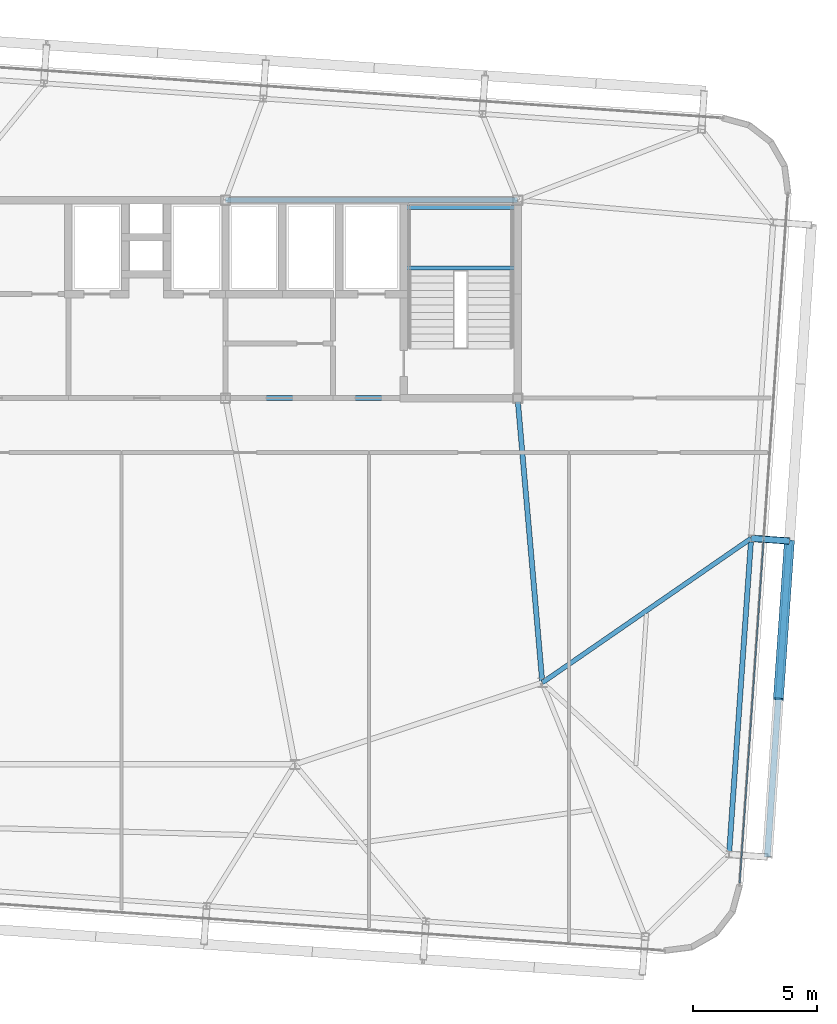
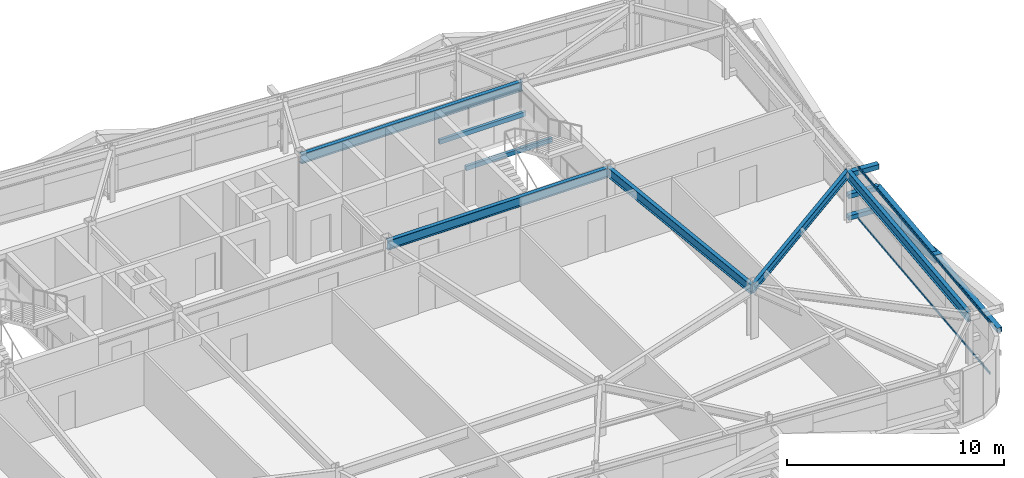
# One storey, part 16 of 39: 7 beams, 7 members, 1 element without a shape of its own.
"""IFC4 building model written with IfcOpenShell, lengths in metres."""

from ifc_helpers import new_model, si_unit, direction, frame, origin, origin_2d, place, context, subcontext, project, spatial, hollow_rectangle, i_section, extrude, source, transform, mapped, material, layer, layer_set, material_profile, profile_set, type_object, element, aggregate, save


model = new_model("IFC4")

# Units and contexts
model_context = context("Model", 3, precision=1e-05, world=origin(), true_north=direction((0.0, 1.0)))
body_context = subcontext(model_context, "Body", "Model", "MODEL_VIEW")
ifc_project = project(units=[si_unit("LENGTHUNIT", "METRE"), si_unit("AREAUNIT", "SQUARE_METRE"), si_unit("VOLUMEUNIT", "CUBIC_METRE"), si_unit("PLANEANGLEUNIT", "RADIAN"), si_unit("MASSUNIT", "GRAM", prefix="KILO")], contexts=[model_context])

# Site, building, storey
site_placement = place(None, origin())
site = spatial("IfcSite", under=ifc_project, at=site_placement, CompositionType="ELEMENT")
building_placement = place(site_placement, origin())
building = spatial("IfcBuilding", under=site, at=building_placement, Name="Taldren Reach Tower", CompositionType="ELEMENT")
storey_placement = place(building_placement, frame((0.0, 0.0, 148.75)))
storey = spatial("IfcBuildingStorey", under=building, at=storey_placement, Name="L45", CompositionType="ELEMENT", Elevation=148.75)

# Beams
ifc_material_1 = material(Name="Steel Gr 350 (350PLUS)", Category="steel")
ifc_material_profile_1 = material_profile(ifc_material_1, i_section(OverallWidth=0.208984375, OverallDepth=0.532958984375, WebThickness=0.01025390625, FlangeThickness=0.015625, at=origin_2d()), Name="530UB92.4")
ifc_profile_set_1 = profile_set([ifc_material_profile_1], Name="Steel Gr 350 (350PLUS)")
beam_type_1 = type_object("IfcBeamType", Name="BM-UB530A", PredefinedType="BEAM", material=ifc_profile_set_1)
shared_shape_1 = source(origin(), body_context, "Body", "SweptSolid", [
    extrude(i_section(OverallWidth=0.208984375, OverallDepth=0.532958984375, WebThickness=0.01025390625, FlangeThickness=0.015625, at=origin_2d()), origin(), (0.0, 0.0, 1.0), 11.800048828125),
])
for number, where, z_axis, x_axis, name in (
    (1, (39.199951171875, 24.0, 2.66357421875), (1.0, 0.0, 0.0), (0.0, 1.0, 0.0), "Core-spine girder L45-SP03"),
    (2, (39.199951171875, 32.0, 2.66357421875), (1.0, 0.0, 0.0), (0.0, 1.0, 0.0), "Core-spine girder L45-SP06"),
):
    element("IfcBeam", number, at=place(storey_placement, frame(where, z_axis=z_axis, x_axis=x_axis)), inside=storey, type_object=beam_type_1, Name=name, PredefinedType="BEAM", context=body_context, shape_type="MappedRepresentation", body=[
        mapped(shared_shape_1, transform((0.0, 0.0, 0.0), scale=1.0)),
    ])
shared_shape_2 = source(origin(), body_context, "Body", "SweptSolid", [
    extrude(i_section(OverallWidth=0.208984375, OverallDepth=0.532958984375, WebThickness=0.01025390625, FlangeThickness=0.015625, at=origin_2d()), origin(), (0.0, 0.0, 1.0), 11.54345703125),
])
beam_1_placement = place(storey_placement, frame((52.0, 12.5, 2.66357421875), z_axis=(-0.086629616365, 0.996240588196, 0.0), x_axis=(-0.996240588196, -0.086629616365, 0.0)))
element("IfcBeam", 3, at=beam_1_placement, inside=storey, type_object=beam_type_1, Name="Core-spine girder L45-SP13", PredefinedType="BEAM", context=body_context, shape_type="MappedRepresentation", body=[
    mapped(shared_shape_2, transform((0.0, 0.0, 0.0), scale=1.0)),
])

# Members
ifc_material_2 = material(Name="Steel Gr 450 (C450L0)", Category="steel")
ifc_material_profile_2 = material_profile(ifc_material_2, hollow_rectangle(XDim=0.27490234375, YDim=0.27490234375, WallThickness=0.00927734375, at=origin_2d()), Name="275x275x9.3SHS")
ifc_profile_set_2 = profile_set([ifc_material_profile_2], Name="Steel Gr 450 (C450L0)")
member_type_1 = type_object("IfcMemberType", Name="MB-TIE273", PredefinedType="STRUT", material=ifc_profile_set_2)
shared_shape_3 = source(origin(), body_context, "Body", "SweptSolid", [
    extrude(hollow_rectangle(XDim=0.27490234375, YDim=0.27490234375, WallThickness=0.00927734375, at=origin_2d()), origin(), (0.0, 0.0, 1.0), 1.5498046875),
])
member_1_placement = place(storey_placement, frame((60.438232421875, 18.331787109375, 2.64990234375), z_axis=(0.997562367434, -0.069780535098, 0.0), x_axis=(0.069780535098, 0.997562367434, 0.0)))
element("IfcMember", 4, at=member_1_placement, inside=storey, type_object=member_type_1, Name="Exoskeleton diaphragm tie strut B3-E2 L45", PredefinedType="STRUT", context=body_context, shape_type="MappedRepresentation", body=[
    mapped(shared_shape_3, transform((0.0, 0.0, 0.0), scale=1.0)),
])
ifc_material_3 = material(Name="Steel Gr 350 (C350L0)", Category="steel")
ifc_material_profile_3 = material_profile(ifc_material_3, hollow_rectangle(XDim=0.25, YDim=0.25, WallThickness=0.010009765625, at=origin_2d()), Name="250x250x10.0SHS")
ifc_profile_set_3 = profile_set([ifc_material_profile_3], Name="Steel Gr 350 (C350L0)")
member_type_2 = type_object("IfcMemberType", Name="MB-POST250", PredefinedType="POST", material=ifc_profile_set_3)
shared_shape_4 = source(origin(), body_context, "Body", "SweptSolid", [
    extrude(hollow_rectangle(XDim=0.25, YDim=0.25, WallThickness=0.010009765625, at=origin_2d()), origin(), (0.0, 0.0, 1.0), 1.5498046875),
])
for number, where, z_axis, x_axis, name in (
    (5, (60.438232421875, 18.331787109375, 0.219970703125), (0.997562367434, -0.069780535098, 0.0), (0.069780535098, 0.997562367434, 0.0), "Exoskeleton base diaphragm tie strut B3-E2 L45"),
    (6, (60.438232421875, 18.331787109375, 1.43505859375), (0.997562367434, -0.069780535098, 0.0), (0.069780535098, 0.997562367434, 0.0), "Exoskeleton mid-tier diaphragm tie B3-E2 L45"),
):
    element("IfcMember", number, at=place(storey_placement, frame(where, z_axis=z_axis, x_axis=x_axis)), inside=storey, type_object=member_type_2, Name=name, PredefinedType="POST", context=body_context, shape_type="MappedRepresentation", body=[
        mapped(shared_shape_4, transform((0.0, 0.0, 0.0), scale=1.0)),
    ])

# Beams
ifc_material_profile_4 = material_profile(ifc_material_1, i_section(OverallWidth=0.208984375, OverallDepth=0.528076171875, WebThickness=0.009521484375, FlangeThickness=0.01318359375, at=origin_2d()), Name="530UB82.0")
ifc_profile_set_4 = profile_set([ifc_material_profile_4], Name="Steel Gr 350 (350PLUS)")
beam_type_2 = type_object("IfcBeamType", Name="SP-UB530B", PredefinedType="SPANDREL", material=ifc_profile_set_4)
shared_shape_5 = source(origin(), body_context, "Body", "SweptSolid", [
    extrude(i_section(OverallWidth=0.208984375, OverallDepth=0.528076171875, WebThickness=0.009521484375, FlangeThickness=0.01318359375, at=origin_2d()), origin(), (0.0, 0.0, 1.0), 12.80029296875),
])
beam_2_placement = place(storey_placement, frame((59.54541015625, 5.562744140625, 2.666015625), z_axis=(0.069750549628, 0.997564464497, 0.0), x_axis=(-0.997564464497, 0.069750549628, 0.0)))
element("IfcBeam", 7, at=beam_2_placement, inside=storey, type_object=beam_type_2, Name="Perimeter spandrel B3 E1-E2 L45", PredefinedType="SPANDREL", context=body_context, shape_type="MappedRepresentation", body=[
    mapped(shared_shape_5, transform((0.0, 0.0, 0.0), scale=1.0)),
])
ifc_material_profile_5 = material_profile(ifc_material_1, i_section(OverallWidth=0.19091796875, OverallDepth=0.4599609375, WebThickness=0.010009765625, FlangeThickness=0.01611328125, at=origin_2d()), Name="460UB82.1")
ifc_profile_set_5 = profile_set([ifc_material_profile_5], Name="Steel Gr 350 (350PLUS)")
beam_type_3 = type_object("IfcBeamType", Name="BM-UB460A", PredefinedType="BEAM", material=ifc_profile_set_5)
shared_shape_6 = source(origin(), body_context, "Body", "SweptSolid", [
    extrude(i_section(OverallWidth=0.19091796875, OverallDepth=0.4599609375, WebThickness=0.010009765625, FlangeThickness=0.01611328125, at=origin_2d()), origin(), (0.0, 0.0, 1.0), 10.25732421875),
])
beam_3_placement = place(storey_placement, frame((52.0, 12.5, 2.699951171875), z_axis=(0.822651197727, 0.568546398175, 0.0), x_axis=(-0.568546398175, 0.822651197727, 0.0)))
element("IfcBeam", 8, at=beam_3_placement, inside=storey, type_object=beam_type_3, Name="Primary floor girder B3-E2 L45", PredefinedType="BEAM", context=body_context, shape_type="MappedRepresentation", body=[
    mapped(shared_shape_6, transform((0.0, 0.0, 0.0), scale=1.0)),
])

# Members
shared_shape_7 = source(origin(), body_context, "Body", "SweptSolid", [
    extrude(hollow_rectangle(XDim=0.25, YDim=0.25, WallThickness=0.010009765625, at=origin_2d()), origin(), (0.0, 0.0, 1.0), 12.800048828125),
])
member_2_placement = place(storey_placement, frame((61.091552734375, 5.454833984375, 1.43505859375), z_axis=(0.069751876777, 0.9975643717, 0.0), x_axis=(-0.9975643717, 0.069751876777, 0.0)))
element("IfcMember", 9, at=member_2_placement, inside=storey, type_object=member_type_2, Name="Exoskeleton mid-height ring chord B3-E1 L45", PredefinedType="POST", context=body_context, shape_type="MappedRepresentation", body=[
    mapped(shared_shape_7, transform((0.0, 0.0, 0.0), scale=1.0)),
])
ifc_material_profile_6 = material_profile(ifc_material_2, hollow_rectangle(XDim=0.409912109375, YDim=0.409912109375, WallThickness=0.01611328125, at=origin_2d()), Name="410x410x16.0SHS")
ifc_profile_set_6 = profile_set([ifc_material_profile_6], Name="Steel Gr 450 (C450L0)")
member_type_3 = type_object("IfcMemberType", Name="MB-EXO406", PredefinedType="BRACE", material=ifc_profile_set_6)
shared_shape_8 = source(origin(), body_context, "Body", "SweptSolid", [
    extrude(hollow_rectangle(XDim=0.409912109375, YDim=0.409912109375, WallThickness=0.01611328125, at=origin_2d()), origin(), (0.0, 0.0, 1.0), 6.514404296875),
])
member_3_placement = place(storey_placement, frame((61.984375, 18.2236328125, 0.219970703125), z_axis=(-0.068507825937, -0.980059166346, 0.186522674885), x_axis=(0.997565791441, -0.069731569223, 0.0)))
element("IfcMember", 10, at=member_3_placement, inside=storey, type_object=member_type_3, Name="Exoskeleton Diagrid Brace B3-E1 L45", PredefinedType="BRACE", context=body_context, shape_type="MappedRepresentation", body=[
    mapped(shared_shape_8, transform((0.0, 0.0, 0.0), scale=1.0)),
])

# Curtain wall, members
ifc_material_4 = material(Name="Aluminium and Low-E Glass Unitised System", Category="aluminium")
ifc_layer = layer(ifc_material_4, 0.159912109375)
ifc_layer_set = layer_set([ifc_layer], Name="Aluminium and Low-E Glass Unitised System")
curtain_wall_type = type_object("IfcCurtainWallType", Name="CW-SYS-4", PredefinedType="NOTDEFINED", material=ifc_layer_set)
curtain_wall_placement = place(storey_placement, origin())
curtain_wall = element("IfcCurtainWall", 11, at=curtain_wall_placement, inside=storey, type_object=curtain_wall_type, Name="Unitised curtain wall CW-L45-E", PredefinedType="NOTDEFINED")
ifc_material_5 = material(Name="Anodised Aluminium 6063-T6", Category="aluminium")
ifc_material_profile_7 = material_profile(ifc_material_5, hollow_rectangle(XDim=0.054931640625, YDim=0.1201171875, WallThickness=0.0029296875, at=origin_2d()), Name="ALU-120x55x3RHS")
ifc_profile_set_7 = profile_set([ifc_material_profile_7], Name="Anodised Aluminium 6063-T6")
member_type_4 = type_object("IfcMemberType", Name="CW-TRN-135", PredefinedType="USERDEFINED", material=ifc_profile_set_7)
shared_shape_9 = source(origin(), body_context, "Body", "SweptSolid", [
    extrude(hollow_rectangle(XDim=0.054931640625, YDim=0.1201171875, WallThickness=0.0029296875, at=origin_2d()), origin(), (0.0, 0.0, 1.0), 13.89501953125),
])
member_4_placement = place(storey_placement, frame((59.975341796875, 4.400146484375, 0.027587890625), z_axis=(0.069754817075, 0.997564166104, 0.0), x_axis=(-0.997564166104, 0.069754817075, 0.0)))
member_4 = element("IfcMember", 12, at=member_4_placement, type_object=member_type_4, Name="CW-4 transom 1.1", ObjectType="TRANSOM", PredefinedType="USERDEFINED", context=body_context, shape_type="MappedRepresentation", body=[
    mapped(shared_shape_9, transform((0.0, 0.0, 0.0), scale=1.0)),
])
member_5_placement = place(storey_placement, frame((59.975341796875, 4.400146484375, 2.902587890625), z_axis=(0.069754817075, 0.997564166104, 0.0), x_axis=(-0.997564166104, 0.069754817075, 0.0)))
member_5 = element("IfcMember", 13, at=member_5_placement, type_object=member_type_4, Name="CW-4 transom 1.2", ObjectType="TRANSOM", PredefinedType="USERDEFINED", context=body_context, shape_type="MappedRepresentation", body=[
    mapped(shared_shape_9, transform((0.0, 0.0, 0.0), scale=1.0)),
])
aggregate(curtain_wall, [member_4, member_5])

# Beams
ifc_material_profile_8 = material_profile(ifc_material_3, hollow_rectangle(XDim=0.14990234375, YDim=0.25, WallThickness=0.009033203125, at=origin_2d()), Name="250x150x9.0RHS")
ifc_profile_set_8 = profile_set([ifc_material_profile_8], Name="Steel Gr 350 (C350L0)")
beam_type_4 = type_object("IfcBeamType", Name="LN-RHS250", PredefinedType="LINTEL", material=ifc_profile_set_8)
shared_shape_10 = source(origin(), body_context, "Body", "SweptSolid", [
    extrude(hollow_rectangle(XDim=0.14990234375, YDim=0.25, WallThickness=0.009033203125, at=origin_2d()), origin(), (0.0, 0.0, 1.0), 4.60009765625),
])
for number, where, z_axis, x_axis, name in (
    (14, (46.39990234375, 29.2548828125, 1.27001953125), (1.0, 0.0, 0.0), (0.0, 1.0, 0.0), "Stair half-landing support beam ST2-L45-1"),
    (15, (46.39990234375, 31.699951171875, 1.27001953125), (1.0, 0.0, 0.0), (0.0, 1.0, 0.0), "Stair half-landing support beam ST2-L45-2"),
):
    element("IfcBeam", number, at=place(storey_placement, frame(where, z_axis=z_axis, x_axis=x_axis)), inside=storey, type_object=beam_type_4, Name=name, PredefinedType="LINTEL", context=body_context, shape_type="MappedRepresentation", body=[
        mapped(shared_shape_10, transform((0.0, 0.0, 0.0), scale=1.0)),
    ])

save(model, "model.ifc")
